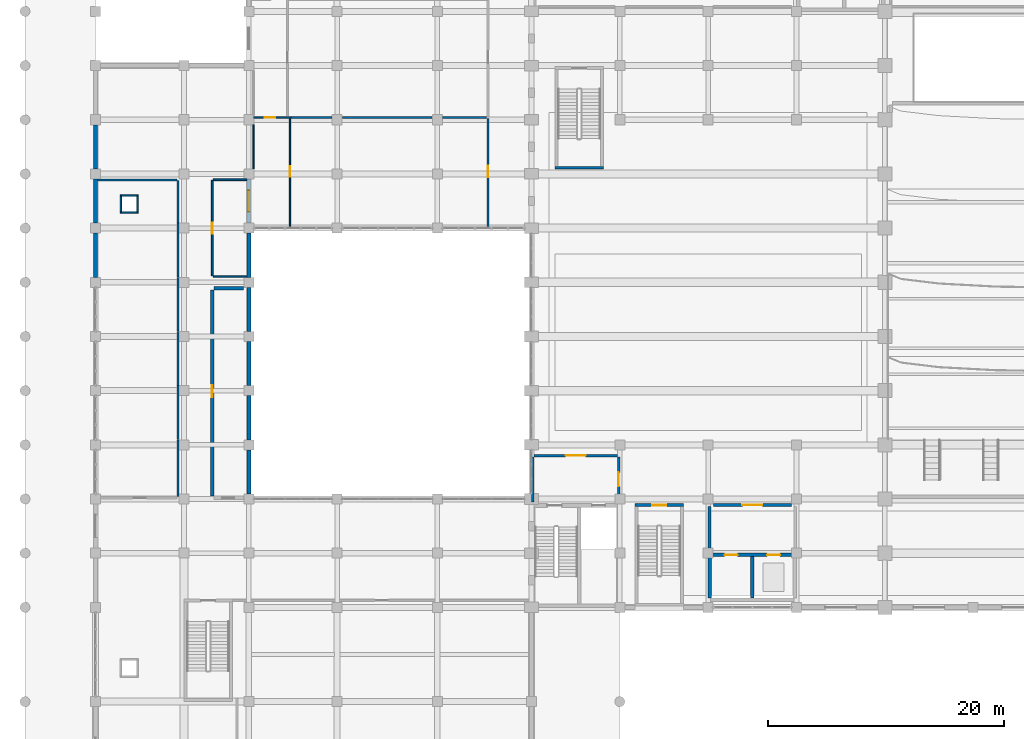
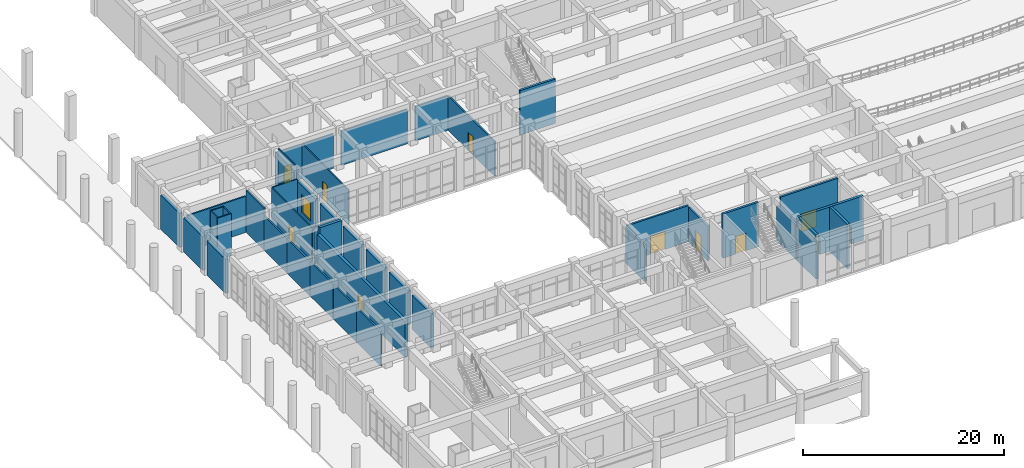
# One storey, part 63 of 84: 42 walls, 11 doors, 1 window, 12 openings.
"""IFC4 building model written with IfcOpenShell, lengths in metres."""

from ifc_helpers import new_model, si_unit, direction, frame, frame_2d, origin, place, context, subcontext, project, spatial, rectangle, extrude, material, layer, layer_set, type_object, element, fill, save


model = new_model("IFC4")

# Units and contexts
model_context = context("Model", 3, precision=1e-05, world=origin(), true_north=direction((0.0, 1.0)))
body_context = subcontext(model_context, "Body", "Model", "MODEL_VIEW")
ifc_project = project(units=[si_unit("LENGTHUNIT", "METRE"), si_unit("AREAUNIT", "SQUARE_METRE"), si_unit("VOLUMEUNIT", "CUBIC_METRE"), si_unit("PLANEANGLEUNIT", "RADIAN"), si_unit("MASSUNIT", "GRAM", prefix="KILO")], contexts=[model_context])

# Site, building, storey
site_placement = place(None, origin())
site = spatial("IfcSite", under=ifc_project, at=site_placement, CompositionType="ELEMENT")
building_placement = place(site_placement, origin())
building = spatial("IfcBuilding", under=site, at=building_placement, Name="Muzn Square Opera House", CompositionType="ELEMENT")
storey_placement = place(building_placement, origin())
storey = spatial("IfcBuildingStorey", under=building, at=storey_placement, Name="L00", CompositionType="ELEMENT", Elevation=0.0)

# Wall, opening, door
ifc_material_1 = material(Name="Acoustic gypsum stud partition", Category="gypsum")
ifc_layer_1 = layer(ifc_material_1, 0.320068359375, Name="Acoustic gypsum stud partition", Category="gypsum")
ifc_layer_set_1 = layer_set([ifc_layer_1], Name="Acoustic gypsum stud partition")
wall_type_1 = type_object("IfcWallType", Name="Acoustic Studio Double Wall 320mm", PredefinedType="PARTITIONING", material=ifc_layer_set_1)
wall_1_placement = place(storey_placement, frame((15.89990234375, 31.465087890625, 0.0), z_axis=(0.0, 0.0, 1.0), x_axis=(0.0, 1.0, 0.0)))
wall_1 = element("IfcWall", 1, at=wall_1_placement, inside=storey, type_object=wall_type_1, Name="Interior Partition PW-L00-0091", PredefinedType="PARTITIONING", context=body_context, shape_type="SweptSolid", body=[
    extrude(rectangle(XDim=17.489990234375, YDim=0.320068359375, at=frame_2d((8.7451171875, 0.0))), origin(), (0.0, 0.0, 1.0), 4.39990234375),
])
opening_1_placement = place(wall_1_placement, frame((8.385009765625, 0.0, 0.0)))
opening_1 = element("IfcOpeningElement", 2, at=opening_1_placement, cuts=wall_1, Name="Opening DR-SS10", PredefinedType="OPENING", context=body_context, shape_type="SweptSolid", body=[
    extrude(rectangle(XDim=1.0, YDim=2.199951171875, at=frame_2d((0.5, 1.10009765625))), frame((0.0, 0.169921875, 0.0), z_axis=(0.0, -1.0, 0.0), x_axis=(1.0, 0.0, 0.0)), (0.0, 0.0, 1.0), 0.340087890625),
])
ifc_material_2 = material(Name="Acoustic hardwood leaf", Category="wood")
door_type_1 = type_object("IfcDoorType", Name="Soloist Suite Door 1000x2200", OperationType="NOTDEFINED", PredefinedType="DOOR", material=ifc_material_2)
door_1_placement = place(opening_1_placement, origin())
door_1 = element("IfcDoor", 3, at=door_1_placement, inside=storey, type_object=door_type_1, Name="Soloist Vocal Warm-Up Studio Door DR-L00-0041", OperationType="SINGLE_SWING_RIGHT", OverallHeight=2.199951171875, OverallWidth=1.0, PredefinedType="DOOR", context=body_context, shape_type="SweptSolid", body=[
    extrude(rectangle(XDim=1.0, YDim=2.199951171875, at=frame_2d((0.5, 1.10009765625))), frame((0.0, 0.02490234375, 0.0), z_axis=(0.0, -1.0, 0.0), x_axis=(1.0, 0.0, 0.0)), (0.0, 0.0, 1.0), 0.050048828125),
])
fill(opening_1, door_1)

# Walls
wall_2_placement = place(storey_placement, frame((16.044921875, 49.10009765625, 0.0), z_axis=(0.0, 0.0, 1.0), x_axis=(1.0, 0.0, 0.0)))
element("IfcWall", 4, at=wall_2_placement, inside=storey, type_object=wall_type_1, Name="Room Enclosure Partition PW-L00-0141", PredefinedType="PARTITIONING", context=body_context, shape_type="SweptSolid", body=[
    extrude(rectangle(XDim=2.525146484375, YDim=0.320068359375, at=frame_2d((1.2626953125, 0.0))), origin(), (0.0, 0.0, 1.0), 5.10009765625),
])
ifc_material_3 = material(Name="Concrete C45/55", Category="concrete")
ifc_layer_2 = layer(ifc_material_3, 0.25, Name="Concrete C45/55", Category="concrete")
ifc_layer_set_2 = layer_set([ifc_layer_2], Name="Concrete C45/55")
wall_type_2 = type_object("IfcWallType", Name="Aux Stair Enclosure Wall 250mm", PredefinedType="SHEAR", material=ifc_layer_set_2)
wall_3_placement = place(storey_placement, frame((45.0, 59.324951171875, 0.0), z_axis=(0.0, 0.0, 1.0), x_axis=(1.0, 0.0, 0.0)))
element("IfcWall", 5, at=wall_3_placement, inside=storey, type_object=wall_type_2, Name="Escape Stair ST-9 Wall S L00", PredefinedType="SHEAR", context=body_context, shape_type="SweptSolid", body=[
    extrude(rectangle(XDim=4.10009765625, YDim=0.25, at=frame_2d((2.050048828125, 0.0))), origin(), (0.0, 0.0, 1.0), 5.39990234375),
])

# Wall, opening, door
wall_4_placement = place(storey_placement, frame((51.800048828125, 30.675048828125, 0.0), z_axis=(0.0, 0.0, 1.0), x_axis=(1.0, 0.0, 0.0)))
wall_4 = element("IfcWall", 6, at=wall_4_placement, inside=storey, type_object=wall_type_2, Name="Escape Stair ST-11 Wall N L00", PredefinedType="SHEAR", context=body_context, shape_type="SweptSolid", body=[
    extrude(rectangle(XDim=4.099853515625, YDim=0.25, at=frame_2d((2.0498046875, 0.0))), origin(), (0.0, 0.0, 1.0), 5.39990234375),
])
opening_2_placement = place(wall_4_placement, frame((1.449951171875, 0.0, 0.0)))
opening_2 = element("IfcOpeningElement", 7, at=opening_2_placement, cuts=wall_4, Name="Opening DR-ST12", PredefinedType="OPENING", context=body_context, shape_type="SweptSolid", body=[
    extrude(rectangle(XDim=1.199951171875, YDim=2.14990234375, at=frame_2d((0.60009765625, 1.074951171875))), frame((0.0, 0.135009765625, 0.0), z_axis=(0.0, -1.0, 0.0), x_axis=(1.0, 0.0, 0.0)), (0.0, 0.0, 1.0), 0.27001953125),
])
ifc_material_4 = material(Name="Galvanised painted steel leaf", Category="metal")
door_type_2 = type_object("IfcDoorType", Name="Core Stair Fire Door 1200x2150", OperationType="NOTDEFINED", PredefinedType="DOOR", material=ifc_material_4)
door_2_placement = place(opening_2_placement, origin())
door_2 = element("IfcDoor", 8, at=door_2_placement, inside=storey, type_object=door_type_2, Name="Escape Stair ST-11 Door L00", OperationType="SINGLE_SWING_RIGHT", OverallHeight=2.14990234375, OverallWidth=1.199951171875, PredefinedType="DOOR", context=body_context, shape_type="SweptSolid", body=[
    extrude(rectangle(XDim=1.199951171875, YDim=2.14990234375, at=frame_2d((0.60009765625, 1.074951171875))), frame((0.0, 0.02490234375, 0.0), z_axis=(0.0, -1.0, 0.0), x_axis=(1.0, 0.0, 0.0)), (0.0, 0.0, 1.0), 0.050048828125),
])
fill(opening_2, door_2)

# Walls
ifc_layer_3 = layer(ifc_material_3, 0.300048828125, Name="Concrete C45/55", Category="concrete")
ifc_layer_set_3 = layer_set([ifc_layer_3], Name="Concrete C45/55")
wall_type_3 = type_object("IfcWallType", Name="Core Shear Wall 300mm", PredefinedType="SHEAR", material=ifc_layer_set_3)
for number, where, z_axis, x_axis, name in (
    (9, (58.14990234375, 22.800048828125, 0.0), (0.0, 0.0, 1.0), (0.0, 1.0, 0.0), "Lift Bank LBW Shear Wall SW-LBW-L00-W"),
    (10, (61.75, 22.800048828125, 0.0), (0.0, 0.0, 1.0), (0.0, 1.0, 0.0), "Lift Bank LBW Shear Wall SW-LBW-L00-DIV"),
):
    element("IfcWall", number, at=place(storey_placement, frame(where, z_axis=z_axis, x_axis=x_axis)), inside=storey, type_object=wall_type_3, Name=name, PredefinedType="SHEAR", context=body_context, shape_type="SweptSolid", body=[
        extrude(rectangle(XDim=3.5, YDim=0.300048828125, at=frame_2d((1.75, 0.0))), origin(), (0.0, 0.0, 1.0), 5.39990234375),
    ])

# Wall, openings, doors
wall_5_placement = place(storey_placement, frame((58.0, 26.449951171875, 0.0), z_axis=(0.0, 0.0, 1.0), x_axis=(1.0, 0.0, 0.0)))
wall_5 = element("IfcWall", 11, at=wall_5_placement, inside=storey, type_object=wall_type_3, Name="Lift Bank LBW Front Wall L00", PredefinedType="SHEAR", context=body_context, shape_type="SweptSolid", body=[
    extrude(rectangle(XDim=7.5, YDim=0.300048828125, at=frame_2d((3.75, 0.0))), origin(), (0.0, 0.0, 1.0), 5.39990234375),
])
opening_3_placement = place(wall_5_placement, frame((1.39990234375, 0.0, 0.0)))
opening_3 = element("IfcOpeningElement", 12, at=opening_3_placement, cuts=wall_5, Name="Opening LD-01", PredefinedType="OPENING", context=body_context, shape_type="SweptSolid", body=[
    extrude(rectangle(XDim=1.10009765625, YDim=2.14990234375, at=frame_2d((0.550048828125, 1.074951171875))), frame((0.0, 0.159912109375, 0.0), z_axis=(0.0, -1.0, 0.0), x_axis=(1.0, 0.0, 0.0)), (0.0, 0.0, 1.0), 0.320068359375),
])
opening_4_placement = place(wall_5_placement, frame((5.0, 0.0, 0.0)))
opening_4 = element("IfcOpeningElement", 13, at=opening_4_placement, cuts=wall_5, Name="Opening LD-01", PredefinedType="OPENING", context=body_context, shape_type="SweptSolid", body=[
    extrude(rectangle(XDim=1.10009765625, YDim=2.14990234375, at=frame_2d((0.550048828125, 1.074951171875))), frame((0.0, 0.159912109375, 0.0), z_axis=(0.0, -1.0, 0.0), x_axis=(1.0, 0.0, 0.0)), (0.0, 0.0, 1.0), 0.320068359375),
])
ifc_material_5 = material(Name="Brushed stainless steel", Category="metal")
door_type_3 = type_object("IfcDoorType", Name="Lift Landing Sliding Door 1100x2150", OperationType="SLIDING_TO_LEFT", PredefinedType="DOOR", material=ifc_material_5)
door_3_placement = place(opening_3_placement, origin())
door_3 = element("IfcDoor", 14, at=door_3_placement, inside=storey, type_object=door_type_3, Name="Lift PL-2 Sliding Landing Door L00", OperationType="SLIDING_TO_LEFT", OverallHeight=2.14990234375, OverallWidth=1.10009765625, PredefinedType="DOOR", context=body_context, shape_type="SweptSolid", body=[
    extrude(rectangle(XDim=1.10009765625, YDim=2.14990234375, at=frame_2d((0.550048828125, 1.074951171875))), frame((0.0, 0.02490234375, 0.0), z_axis=(0.0, -1.0, 0.0), x_axis=(1.0, 0.0, 0.0)), (0.0, 0.0, 1.0), 0.050048828125),
])
fill(opening_3, door_3)
door_4_placement = place(opening_4_placement, origin())
door_4 = element("IfcDoor", 15, at=door_4_placement, inside=storey, type_object=door_type_3, Name="Lift PL-6 Sliding Landing Door L00", OperationType="SLIDING_TO_LEFT", OverallHeight=2.14990234375, OverallWidth=1.10009765625, PredefinedType="DOOR", context=body_context, shape_type="SweptSolid", body=[
    extrude(rectangle(XDim=1.10009765625, YDim=2.14990234375, at=frame_2d((0.550048828125, 1.074951171875))), frame((0.0, 0.02490234375, 0.0), z_axis=(0.0, -1.0, 0.0), x_axis=(1.0, 0.0, 0.0)), (0.0, 0.0, 1.0), 0.050048828125),
])
fill(opening_4, door_4)

# Walls
ifc_layer_4 = layer(ifc_material_1, 0.179931640625, Name="Acoustic gypsum stud partition", Category="gypsum")
ifc_layer_set_4 = layer_set([ifc_layer_4], Name="Acoustic gypsum stud partition")
wall_type_4 = type_object("IfcWallType", Name="Dressing Suite Partition 180mm", PredefinedType="PARTITIONING", material=ifc_layer_set_4)
wall_6_placement = place(storey_placement, frame((26.945068359375, 63.60009765625, 0.0), z_axis=(0.0, 0.0, 1.0), x_axis=(1.0, 0.0, 0.0)))
element("IfcWall", 16, at=wall_6_placement, inside=storey, type_object=wall_type_4, Name="Interior Partition PW-L00-0084", PredefinedType="PARTITIONING", context=body_context, shape_type="SweptSolid", body=[
    extrude(rectangle(XDim=7.60986328125, YDim=0.179931640625, at=frame_2d((3.804931640625, 0.0))), origin(), (0.0, 0.0, 1.0), 4.199951171875),
])
wall_7_placement = place(storey_placement, frame((35.445068359375, 63.60009765625, 0.0), z_axis=(0.0, 0.0, 1.0), x_axis=(1.0, 0.0, 0.0)))
element("IfcWall", 17, at=wall_7_placement, inside=storey, type_object=wall_type_4, Name="Interior Partition PW-L00-0085", PredefinedType="PARTITIONING", context=body_context, shape_type="SweptSolid", body=[
    extrude(rectangle(XDim=3.7548828125, YDim=0.179931640625, at=frame_2d((1.87744140625, 0.0))), origin(), (0.0, 0.0, 1.0), 4.199951171875),
])

# Wall, opening, door
wall_8_placement = place(storey_placement, frame((39.300048828125, 54.284912109375, 0.0), z_axis=(0.0, 0.0, 1.0), x_axis=(0.0, 1.0, 0.0)))
wall_8 = element("IfcWall", 18, at=wall_8_placement, inside=storey, type_object=wall_type_4, Name="Interior Partition PW-L00-0087", PredefinedType="PARTITIONING", context=body_context, shape_type="SweptSolid", body=[
    extrude(rectangle(XDim=9.239990234375, YDim=0.179931640625, at=frame_2d((4.6201171875, 0.0))), origin(), (0.0, 0.0, 1.0), 4.199951171875),
])
opening_5_placement = place(wall_8_placement, frame((4.215087890625, 0.0, 0.0)))
opening_5 = element("IfcOpeningElement", 19, at=opening_5_placement, cuts=wall_8, Name="Opening DR-SS10", PredefinedType="OPENING", context=body_context, shape_type="SweptSolid", body=[
    extrude(rectangle(XDim=1.0, YDim=2.199951171875, at=frame_2d((0.5, 1.10009765625))), frame((0.0, 0.099853515625, 0.0), z_axis=(0.0, -1.0, 0.0), x_axis=(1.0, 0.0, 0.0)), (0.0, 0.0, 1.0), 0.199951171875),
])
door_5_placement = place(opening_5_placement, origin())
door_5 = element("IfcDoor", 20, at=door_5_placement, inside=storey, type_object=door_type_1, Name="Principal Soloist Dressing Suite 1 Door DR-L00-0037", OperationType="SINGLE_SWING_RIGHT", OverallHeight=2.199951171875, OverallWidth=1.0, PredefinedType="DOOR", context=body_context, shape_type="SweptSolid", body=[
    extrude(rectangle(XDim=1.0, YDim=2.199951171875, at=frame_2d((0.5, 1.10009765625))), frame((0.0, 0.02490234375, 0.0), z_axis=(0.0, -1.0, 0.0), x_axis=(1.0, 0.0, 0.0)), (0.0, 0.0, 1.0), 0.050048828125),
])
fill(opening_5, door_5)

# Walls
wall_9_placement = place(storey_placement, frame((6.175048828125, 58.300048828125, 0.0), z_axis=(0.0, 0.0, 1.0), x_axis=(1.0, 0.0, 0.0)))
element("IfcWall", 21, at=wall_9_placement, inside=storey, type_object=wall_type_4, Name="Room Enclosure Partition PW-L00-0134", PredefinedType="PARTITIONING", context=body_context, shape_type="SweptSolid", body=[
    extrude(rectangle(XDim=6.75, YDim=0.179931640625, at=frame_2d((3.375, 0.0))), origin(), (0.0, 0.0, 1.0), 4.39990234375),
])
wall_10_placement = place(storey_placement, frame((13.0, 31.39501953125, 0.0), z_axis=(0.0, 0.0, 1.0), x_axis=(0.0, 1.0, 0.0)))
element("IfcWall", 22, at=wall_10_placement, inside=storey, type_object=wall_type_4, Name="Room Enclosure Partition PW-L00-0135", PredefinedType="PARTITIONING", context=body_context, shape_type="SweptSolid", body=[
    extrude(rectangle(XDim=4.830078125, YDim=0.179931640625, at=frame_2d((2.4150390625, 0.0))), origin(), (0.0, 0.0, 1.0), 4.199951171875),
])
wall_11_placement = place(storey_placement, frame((13.0, 36.2451171875, 0.0), z_axis=(0.0, 0.0, 1.0), x_axis=(0.0, 1.0, 0.0)))
element("IfcWall", 23, at=wall_11_placement, inside=storey, type_object=wall_type_4, Name="Room Enclosure Partition PW-L00-0136", PredefinedType="PARTITIONING", context=body_context, shape_type="SweptSolid", body=[
    extrude(rectangle(XDim=4.579833984375, YDim=0.179931640625, at=frame_2d((2.2900390625, 0.0))), origin(), (0.0, 0.0, 1.0), 4.199951171875),
])
wall_12_placement = place(storey_placement, frame((13.0, 40.844970703125, 0.0), z_axis=(0.0, 0.0, 1.0), x_axis=(0.0, 1.0, 0.0)))
element("IfcWall", 24, at=wall_12_placement, inside=storey, type_object=wall_type_4, Name="Room Enclosure Partition PW-L00-0137", PredefinedType="PARTITIONING", context=body_context, shape_type="SweptSolid", body=[
    extrude(rectangle(XDim=4.580078125, YDim=0.179931640625, at=frame_2d((2.2900390625, 0.0))), origin(), (0.0, 0.0, 1.0), 4.199951171875),
])
wall_13_placement = place(storey_placement, frame((13.0, 45.445068359375, 0.0), z_axis=(0.0, 0.0, 1.0), x_axis=(0.0, 1.0, 0.0)))
element("IfcWall", 25, at=wall_13_placement, inside=storey, type_object=wall_type_4, Name="Room Enclosure Partition PW-L00-0138", PredefinedType="PARTITIONING", context=body_context, shape_type="SweptSolid", body=[
    extrude(rectangle(XDim=4.579833984375, YDim=0.179931640625, at=frame_2d((2.2900390625, 0.0))), origin(), (0.0, 0.0, 1.0), 4.199951171875),
])
wall_14_placement = place(storey_placement, frame((13.0, 50.044921875, 0.0), z_axis=(0.0, 0.0, 1.0), x_axis=(0.0, 1.0, 0.0)))
element("IfcWall", 26, at=wall_14_placement, inside=storey, type_object=wall_type_4, Name="Room Enclosure Partition PW-L00-0139", PredefinedType="PARTITIONING", context=body_context, shape_type="SweptSolid", body=[
    extrude(rectangle(XDim=4.580078125, YDim=0.179931640625, at=frame_2d((2.2900390625, 0.0))), origin(), (0.0, 0.0, 1.0), 4.199951171875),
])
wall_15_placement = place(storey_placement, frame((13.0, 54.64501953125, 0.0), z_axis=(0.0, 0.0, 1.0), x_axis=(0.0, 1.0, 0.0)))
element("IfcWall", 27, at=wall_15_placement, inside=storey, type_object=wall_type_4, Name="Room Enclosure Partition PW-L00-0140", PredefinedType="PARTITIONING", context=body_context, shape_type="SweptSolid", body=[
    extrude(rectangle(XDim=3.580078125, YDim=0.179931640625, at=frame_2d((1.7900390625, 0.0))), origin(), (0.0, 0.0, 1.0), 5.10009765625),
])
wall_16_placement = place(storey_placement, frame((22.614990234375, 63.60009765625, 0.0), z_axis=(0.0, 0.0, 1.0), x_axis=(1.0, 0.0, 0.0)))
element("IfcWall", 28, at=wall_16_placement, inside=storey, type_object=wall_type_4, Name="Interior Partition PW-L00-0086", PredefinedType="PARTITIONING", context=body_context, shape_type="SweptSolid", body=[
    extrude(rectangle(XDim=3.43994140625, YDim=0.179931640625, at=frame_2d((1.719970703125, 0.0))), origin(), (0.0, 0.0, 1.0), 4.199951171875),
])

# Wall, opening, door
ifc_layer_5 = layer(ifc_material_1, 0.1201171875, Name="Acoustic gypsum stud partition", Category="gypsum")
ifc_layer_set_5 = layer_set([ifc_layer_5], Name="Acoustic gypsum stud partition")
wall_type_5 = type_object("IfcWallType", Name="En-Suite Partition 120mm", PredefinedType="PARTITIONING", material=ifc_layer_set_5)
wall_17_placement = place(storey_placement, frame((22.5, 54.284912109375, 0.0), z_axis=(0.0, 0.0, 1.0), x_axis=(0.0, 1.0, 0.0)))
wall_17 = element("IfcWall", 29, at=wall_17_placement, inside=storey, type_object=wall_type_5, Name="Interior Partition PW-L00-0082", PredefinedType="PARTITIONING", context=body_context, shape_type="SweptSolid", body=[
    extrude(rectangle(XDim=9.239990234375, YDim=0.1201171875, at=frame_2d((4.6201171875, 0.0))), origin(), (0.0, 0.0, 1.0), 4.199951171875),
])
opening_6_placement = place(wall_17_placement, frame((4.264892578125, 0.0, 0.0)))
opening_6 = element("IfcOpeningElement", 30, at=opening_6_placement, cuts=wall_17, Name="Opening DR-EN90", PredefinedType="OPENING", context=body_context, shape_type="SweptSolid", body=[
    extrude(rectangle(XDim=0.89990234375, YDim=2.14990234375, at=frame_2d((0.449951171875, 1.074951171875))), frame((0.0, 0.070068359375, 0.0), z_axis=(0.0, -1.0, 0.0), x_axis=(1.0, 0.0, 0.0)), (0.0, 0.0, 1.0), 0.14013671875),
])
door_type_4 = type_object("IfcDoorType", Name="En-Suite Bathroom Door 900x2150", OperationType="NOTDEFINED", PredefinedType="DOOR", material=ifc_material_2)
door_6_placement = place(opening_6_placement, origin())
door_6 = element("IfcDoor", 31, at=door_6_placement, inside=storey, type_object=door_type_4, Name="Soloist En-Suite Bathroom 1 Door DR-L00-0035", OperationType="SINGLE_SWING_RIGHT", OverallHeight=2.14990234375, OverallWidth=0.89990234375, PredefinedType="DOOR", context=body_context, shape_type="SweptSolid", body=[
    extrude(rectangle(XDim=0.89990234375, YDim=2.14990234375, at=frame_2d((0.449951171875, 1.074951171875))), frame((0.0, 0.02490234375, 0.0), z_axis=(0.0, -1.0, 0.0), x_axis=(1.0, 0.0, 0.0)), (0.0, 0.0, 1.0), 0.050048828125),
])
fill(opening_6, door_6)

wall_18_placement = place(storey_placement, frame((19.39990234375, 63.60009765625, 0.0), z_axis=(0.0, 0.0, 1.0), x_axis=(1.0, 0.0, 0.0)))
wall_18 = element("IfcWall", 32, at=wall_18_placement, inside=storey, type_object=wall_type_5, Name="Interior Partition PW-L00-0083", PredefinedType="PARTITIONING", context=body_context, shape_type="SweptSolid", body=[
    extrude(rectangle(XDim=3.195068359375, YDim=0.1201171875, at=frame_2d((1.59765625, 0.0))), origin(), (0.0, 0.0, 1.0), 4.199951171875),
])
opening_7_placement = place(wall_18_placement, frame((0.949951171875, 0.0, 0.0)))
opening_7 = element("IfcOpeningElement", 33, at=opening_7_placement, cuts=wall_18, Name="Opening DR-EN90", PredefinedType="OPENING", context=body_context, shape_type="SweptSolid", body=[
    extrude(rectangle(XDim=0.89990234375, YDim=2.14990234375, at=frame_2d((0.449951171875, 1.074951171875))), frame((0.0, 0.070068359375, 0.0), z_axis=(0.0, -1.0, 0.0), x_axis=(1.0, 0.0, 0.0)), (0.0, 0.0, 1.0), 0.14013671875),
])
door_7_placement = place(opening_7_placement, origin())
door_7 = element("IfcDoor", 34, at=door_7_placement, inside=storey, type_object=door_type_4, Name="Soloist En-Suite Bathroom 1 Door DR-L00-0036", OperationType="SINGLE_SWING_LEFT", OverallHeight=2.14990234375, OverallWidth=0.89990234375, PredefinedType="DOOR", context=body_context, shape_type="SweptSolid", body=[
    extrude(rectangle(XDim=0.89990234375, YDim=2.14990234375, at=frame_2d((0.449951171875, 1.074951171875))), frame((0.0, 0.02490234375, 0.0), z_axis=(0.0, -1.0, 0.0), x_axis=(1.0, 0.0, 0.0)), (0.0, 0.0, 1.0), 0.050048828125),
])
fill(opening_7, door_7)

# Wall
wall_19_placement = place(storey_placement, frame((19.39990234375, 59.2451171875, 0.0), z_axis=(0.0, 0.0, 1.0), x_axis=(0.0, 1.0, 0.0)))
element("IfcWall", 35, at=wall_19_placement, inside=storey, type_object=wall_type_5, Name="Room Enclosure Partition PW-L00-0130", PredefinedType="PARTITIONING", context=body_context, shape_type="SweptSolid", body=[
    extrude(rectangle(XDim=3.7099609375, YDim=0.1201171875, at=frame_2d((1.85498046875, 0.0))), origin(), (0.0, 0.0, 1.0), 5.10009765625),
])

# Wall, opening, window
ifc_material_6 = material(Name="Concrete C40/50", Category="concrete")
ifc_layer_6 = layer(ifc_material_6, 0.31005859375, Name="Concrete C40/50", Category="concrete")
ifc_layer_set_6 = layer_set([ifc_layer_6], Name="Concrete C40/50")
wall_type_6 = type_object("IfcWallType", Name="Exterior Gallery Facade Wall 310mm", PredefinedType="SOLIDWALL", material=ifc_layer_set_6)
wall_20_placement = place(storey_placement, frame((19.0, 54.625, 0.0), z_axis=(0.0, 0.0, 1.0), x_axis=(0.0, 1.0, 0.0)))
wall_20 = element("IfcWall", 36, at=wall_20_placement, inside=storey, type_object=wall_type_6, Name="Exterior Facade Wall EW-L00-077", PredefinedType="SOLIDWALL", context=body_context, shape_type="SweptSolid", body=[
    extrude(rectangle(XDim=3.75, YDim=0.31005859375, at=frame_2d((1.875, 0.0))), origin(), (0.0, 0.0, 1.0), 4.14990234375),
])
opening_8_placement = place(wall_20_placement, frame((0.97509765625, 0.0, 0.85009765625)))
opening_8 = element("IfcOpeningElement", 37, at=opening_8_placement, cuts=wall_20, Name="Opening WN-A1822", PredefinedType="OPENING", context=body_context, shape_type="SweptSolid", body=[
    extrude(rectangle(XDim=1.800048828125, YDim=2.199951171875, at=frame_2d((0.89990234375, 1.10009765625))), frame((0.0, 0.1650390625, 0.0), z_axis=(0.0, -1.0, 0.0), x_axis=(1.0, 0.0, 0.0)), (0.0, 0.0, 1.0), 0.330078125),
])
ifc_material_7 = material(Name="Low-E laminated acoustic double glazing", Category="glass")
window_type = type_object("IfcWindowType", Name="Soloist Suite Window 1800x2200", PartitioningType="DOUBLE_PANEL_VERTICAL", PredefinedType="WINDOW", material=ifc_material_7)
window_placement = place(opening_8_placement, origin())
window = element("IfcWindow", 38, at=window_placement, inside=storey, type_object=window_type, Name="Soloist Suite Window 1800x2200 EW-L00-077-WN01", OverallHeight=2.199951171875, OverallWidth=1.800048828125, PartitioningType="SINGLE_PANEL", PredefinedType="WINDOW", context=body_context, shape_type="SweptSolid", body=[
    extrude(rectangle(XDim=1.800048828125, YDim=2.199951171875, at=frame_2d((0.89990234375, 1.10009765625))), frame((0.0, 0.030029296875, 0.0), z_axis=(0.0, -1.0, 0.0), x_axis=(1.0, 0.0, 0.0)), (0.0, 0.0, 1.0), 0.06005859375),
])
fill(opening_8, window)

# Walls
ifc_layer_7 = layer(ifc_material_6, 0.340087890625, Name="Concrete C40/50", Category="concrete")
ifc_layer_set_7 = layer_set([ifc_layer_7], Name="Concrete C40/50")
wall_type_7 = type_object("IfcWallType", Name="Exterior Insulated Spandrel Wall 340mm", PredefinedType="SOLIDWALL", material=ifc_layer_set_7)
for number, where, z_axis, x_axis, name in (
    (39, (6.0, 50.02490234375, 0.0), (0.0, 0.0, 1.0), (0.0, 1.0, 0.0), "Exterior Facade Wall EW-L00-107"),
    (40, (6.0, 54.625, 0.0), (0.0, 0.0, 1.0), (0.0, 1.0, 0.0), "Exterior Facade Wall EW-L00-108"),
    (41, (6.0, 59.22509765625, 0.0), (0.0, 0.0, 1.0), (0.0, 1.0, 0.0), "Exterior Facade Wall EW-L00-109"),
    (42, (19.0, 31.625, 0.0), (0.0, 0.0, 1.0), (0.0, 1.0, 0.0), "Exterior Facade Wall EW-L00-141"),
    (43, (19.0, 36.22509765625, 0.0), (0.0, 0.0, 1.0), (0.0, 1.0, 0.0), "Exterior Facade Wall EW-L00-142"),
    (44, (19.0, 40.824951171875, 0.0), (0.0, 0.0, 1.0), (0.0, 1.0, 0.0), "Exterior Facade Wall EW-L00-143"),
    (45, (19.0, 45.425048828125, 0.0), (0.0, 0.0, 1.0), (0.0, 1.0, 0.0), "Exterior Facade Wall EW-L00-144"),
    (46, (19.0, 50.02490234375, 0.0), (0.0, 0.0, 1.0), (0.0, 1.0, 0.0), "Exterior Facade Wall EW-L00-145"),
):
    element("IfcWall", number, at=place(storey_placement, frame(where, z_axis=z_axis, x_axis=x_axis)), inside=storey, type_object=wall_type_7, Name=name, PredefinedType="SOLIDWALL", context=body_context, shape_type="SweptSolid", body=[
        extrude(rectangle(XDim=3.75, YDim=0.340087890625, at=frame_2d((1.875, 0.0))), origin(), (0.0, 0.0, 1.0), 4.14990234375),
    ])

# Wall, opening, door
ifc_layer_8 = layer(ifc_material_6, 0.219970703125, Name="Concrete C40/50", Category="concrete")
ifc_layer_set_8 = layer_set([ifc_layer_8], Name="Concrete C40/50")
wall_type_8 = type_object("IfcWallType", Name="Lift Lobby Wall 220mm", PredefinedType="SOLIDWALL", material=ifc_layer_set_8)
wall_21_placement = place(storey_placement, frame((43.219970703125, 34.889892578125, 0.0), z_axis=(0.0, 0.0, 1.0), x_axis=(1.0, 0.0, 0.0)))
wall_21 = element("IfcWall", 47, at=wall_21_placement, inside=storey, type_object=wall_type_8, Name="Lobby C3 Enclosure Wall L00", PredefinedType="SOLIDWALL", context=body_context, shape_type="SweptSolid", body=[
    extrude(rectangle(XDim=7.06005859375, YDim=0.219970703125, at=frame_2d((3.530029296875, 0.0))), origin(), (0.0, 0.0, 1.0), 4.39990234375),
])
opening_9_placement = place(wall_21_placement, frame((2.679931640625, 0.0, 0.0)))
opening_9 = element("IfcOpeningElement", 48, at=opening_9_placement, cuts=wall_21, Name="Opening DR-LL17", PredefinedType="OPENING", context=body_context, shape_type="SweptSolid", body=[
    extrude(rectangle(XDim=1.699951171875, YDim=2.179931640625, at=frame_2d((0.85009765625, 1.08984375))), frame((0.0, 0.119873046875, 0.0), z_axis=(0.0, -1.0, 0.0), x_axis=(1.0, 0.0, 0.0)), (0.0, 0.0, 1.0), 0.239990234375),
])
door_type_5 = type_object("IfcDoorType", Name="Lift Lobby Double Door 1700x2180", OperationType="DOUBLE_DOOR_SINGLE_SWING", PredefinedType="DOOR", material=ifc_material_2)
door_8_placement = place(opening_9_placement, origin())
door_8 = element("IfcDoor", 49, at=door_8_placement, inside=storey, type_object=door_type_5, Name="Lobby C3 Fire Door L00", OperationType="DOUBLE_DOOR_SINGLE_SWING", OverallHeight=2.179931640625, OverallWidth=1.699951171875, PredefinedType="DOOR", context=body_context, shape_type="SweptSolid", body=[
    extrude(rectangle(XDim=1.699951171875, YDim=2.179931640625, at=frame_2d((0.85009765625, 1.08984375))), frame((0.0, 0.02490234375, 0.0), z_axis=(0.0, -1.0, 0.0), x_axis=(1.0, 0.0, 0.0)), (0.0, 0.0, 1.0), 0.050048828125),
])
fill(opening_9, door_8)

# Wall
wall_22_placement = place(storey_placement, frame((43.110107421875, 30.949951171875, 0.0), z_axis=(0.0, 0.0, 1.0), x_axis=(0.0, 1.0, 0.0)))
element("IfcWall", 50, at=wall_22_placement, inside=storey, type_object=wall_type_8, Name="Lobby C3 Side Wall W L00", PredefinedType="SOLIDWALL", context=body_context, shape_type="SweptSolid", body=[
    extrude(rectangle(XDim=3.830078125, YDim=0.219970703125, at=frame_2d((1.9150390625, 0.0))), origin(), (0.0, 0.0, 1.0), 4.39990234375),
])

# Wall, opening, door
wall_23_placement = place(storey_placement, frame((50.389892578125, 30.949951171875, 0.0), z_axis=(0.0, 0.0, 1.0), x_axis=(0.0, 1.0, 0.0)))
wall_23 = element("IfcWall", 51, at=wall_23_placement, inside=storey, type_object=wall_type_8, Name="Lobby C3 Side Wall E L00", PredefinedType="SOLIDWALL", context=body_context, shape_type="SweptSolid", body=[
    extrude(rectangle(XDim=3.830078125, YDim=0.219970703125, at=frame_2d((1.9150390625, 0.0))), origin(), (0.0, 0.0, 1.0), 4.199951171875),
])
opening_10_placement = place(wall_23_placement, frame((2.514892578125, 0.0, 0.0), z_axis=(0.0, 0.0, 1.0), x_axis=(-1.0, 0.0, 0.0)))
opening_10 = element("IfcOpeningElement", 52, at=opening_10_placement, cuts=wall_23, Name="Opening DR-ST12", PredefinedType="OPENING", context=body_context, shape_type="SweptSolid", body=[
    extrude(rectangle(XDim=1.199951171875, YDim=2.14990234375, at=frame_2d((0.60009765625, 1.074951171875))), frame((0.0, 0.119873046875, 0.0), z_axis=(0.0, -1.0, 0.0), x_axis=(1.0, 0.0, 0.0)), (0.0, 0.0, 1.0), 0.239990234375),
])
door_9_placement = place(opening_10_placement, origin())
door_9 = element("IfcDoor", 53, at=door_9_placement, inside=storey, type_object=door_type_2, Name="Lobby C3 Side Door E L00", OperationType="SINGLE_SWING_RIGHT", OverallHeight=2.14990234375, OverallWidth=1.199951171875, PredefinedType="DOOR", context=body_context, shape_type="SweptSolid", body=[
    extrude(rectangle(XDim=1.199951171875, YDim=2.14990234375, at=frame_2d((0.60009765625, 1.074951171875))), frame((0.0, 0.02490234375, 0.0), z_axis=(0.0, -1.0, 0.0), x_axis=(1.0, 0.0, 0.0)), (0.0, 0.0, 1.0), 0.050048828125),
])
fill(opening_10, door_9)

wall_24_placement = place(storey_placement, frame((58.43994140625, 30.68994140625, 0.0), z_axis=(0.0, 0.0, 1.0), x_axis=(1.0, 0.0, 0.0)))
wall_24 = element("IfcWall", 54, at=wall_24_placement, inside=storey, type_object=wall_type_8, Name="Lift Lobby LBW Wall L00", PredefinedType="SOLIDWALL", context=body_context, shape_type="SweptSolid", body=[
    extrude(rectangle(XDim=6.6201171875, YDim=0.219970703125, at=frame_2d((3.31005859375, 0.0))), origin(), (0.0, 0.0, 1.0), 5.10009765625),
])
opening_11_placement = place(wall_24_placement, frame((2.4599609375, 0.0, 0.0)))
opening_11 = element("IfcOpeningElement", 55, at=opening_11_placement, cuts=wall_24, Name="Opening DR-LL17", PredefinedType="OPENING", context=body_context, shape_type="SweptSolid", body=[
    extrude(rectangle(XDim=1.699951171875, YDim=2.179931640625, at=frame_2d((0.85009765625, 1.08984375))), frame((0.0, 0.119873046875, 0.0), z_axis=(0.0, -1.0, 0.0), x_axis=(1.0, 0.0, 0.0)), (0.0, 0.0, 1.0), 0.239990234375),
])
door_10_placement = place(opening_11_placement, origin())
door_10 = element("IfcDoor", 56, at=door_10_placement, inside=storey, type_object=door_type_5, Name="Lift Lobby LBW Door L00", OperationType="DOUBLE_DOOR_SINGLE_SWING", OverallHeight=2.179931640625, OverallWidth=1.699951171875, PredefinedType="DOOR", context=body_context, shape_type="SweptSolid", body=[
    extrude(rectangle(XDim=1.699951171875, YDim=2.179931640625, at=frame_2d((0.85009765625, 1.08984375))), frame((0.0, 0.02490234375, 0.0), z_axis=(0.0, -1.0, 0.0), x_axis=(1.0, 0.0, 0.0)), (0.0, 0.0, 1.0), 0.050048828125),
])
fill(opening_11, door_10)

# Walls
wall_25_placement = place(storey_placement, frame((58.110107421875, 26.75, 0.0), z_axis=(0.0, 0.0, 1.0), x_axis=(0.0, 1.0, 0.0)))
element("IfcWall", 57, at=wall_25_placement, inside=storey, type_object=wall_type_8, Name="Lift Lobby LBW Side Wall W L00", PredefinedType="SOLIDWALL", context=body_context, shape_type="SweptSolid", body=[
    extrude(rectangle(XDim=3.830078125, YDim=0.219970703125, at=frame_2d((1.9150390625, 0.0))), origin(), (0.0, 0.0, 1.0), 4.199951171875),
])
ifc_layer_9 = layer(ifc_material_1, 0.1298828125, Name="Acoustic gypsum stud partition", Category="gypsum")
ifc_layer_set_9 = layer_set([ifc_layer_9], Name="Acoustic gypsum stud partition")
wall_type_9 = type_object("IfcWallType", Name="Service Closet Partition 130mm", PredefinedType="PARTITIONING", material=ifc_layer_set_9)
for number, where, z_axis, x_axis, name in (
    (58, (8.070068359375, 55.534912109375, 0.0), (0.0, 0.0, 1.0), (1.0, 0.0, 0.0), "MEP Riser Shaft Wall RSR-WO L00-S"),
    (59, (8.070068359375, 56.965087890625, 0.0), (0.0, 0.0, 1.0), (1.0, 0.0, 0.0), "MEP Riser Shaft Wall RSR-WO L00-N"),
):
    element("IfcWall", number, at=place(storey_placement, frame(where, z_axis=z_axis, x_axis=x_axis)), inside=storey, type_object=wall_type_9, Name=name, PredefinedType="PARTITIONING", context=body_context, shape_type="SweptSolid", body=[
        extrude(rectangle(XDim=1.559814453125, YDim=0.1298828125, at=frame_2d((0.77978515625, 0.0))), origin(), (0.0, 0.0, 1.0), 5.10009765625),
    ])
for number, where, z_axis, x_axis, name in (
    (60, (8.135009765625, 55.60009765625, 0.0), (0.0, 0.0, 1.0), (0.0, 1.0, 0.0), "MEP Riser Shaft Wall RSR-WO L00-W"),
    (61, (9.56494140625, 55.60009765625, 0.0), (0.0, 0.0, 1.0), (0.0, 1.0, 0.0), "MEP Riser Shaft Wall RSR-WO L00-E"),
):
    element("IfcWall", number, at=place(storey_placement, frame(where, z_axis=z_axis, x_axis=x_axis)), inside=storey, type_object=wall_type_9, Name=name, PredefinedType="PARTITIONING", context=body_context, shape_type="SweptSolid", body=[
        extrude(rectangle(XDim=1.2998046875, YDim=0.1298828125, at=frame_2d((0.64990234375, 0.0))), origin(), (0.0, 0.0, 1.0), 5.10009765625),
    ])

# Wall, opening, door
ifc_layer_10 = layer(ifc_material_1, 0.139892578125, Name="Acoustic gypsum stud partition", Category="gypsum")
ifc_layer_set_10 = layer_set([ifc_layer_10], Name="Acoustic gypsum stud partition")
wall_type_10 = type_object("IfcWallType", Name="Wet Room Tile Partition 140mm", PredefinedType="PARTITIONING", material=ifc_layer_set_10)
wall_26_placement = place(storey_placement, frame((15.89990234375, 50.155029296875, 0.0), z_axis=(0.0, 0.0, 1.0), x_axis=(0.0, 1.0, 0.0)))
wall_26 = element("IfcWall", 62, at=wall_26_placement, inside=storey, type_object=wall_type_10, Name="Interior Partition PW-L00-0093", PredefinedType="PARTITIONING", context=body_context, shape_type="SweptSolid", body=[
    extrude(rectangle(XDim=8.090087890625, YDim=0.139892578125, at=frame_2d((4.044921875, 0.0))), origin(), (0.0, 0.0, 1.0), 4.39990234375),
])
opening_12_placement = place(wall_26_placement, frame((3.570068359375, 0.0, 0.0)))
opening_12 = element("IfcOpeningElement", 63, at=opening_12_placement, cuts=wall_26, Name="Opening DR-AW95", PredefinedType="OPENING", context=body_context, shape_type="SweptSolid", body=[
    extrude(rectangle(XDim=0.949951171875, YDim=2.10009765625, at=frame_2d((0.47509765625, 1.050048828125))), frame((0.0, 0.079833984375, 0.0), z_axis=(0.0, -1.0, 0.0), x_axis=(1.0, 0.0, 0.0)), (0.0, 0.0, 1.0), 0.159912109375),
])
door_type_6 = type_object("IfcDoorType", Name="Accessible WC Door 950x2100", OperationType="NOTDEFINED", PredefinedType="DOOR", material=ifc_material_2)
door_11_placement = place(opening_12_placement, origin())
door_11 = element("IfcDoor", 64, at=door_11_placement, inside=storey, type_object=door_type_6, Name="West Artist Accessible WC Door DR-L00-0043", OperationType="SINGLE_SWING_RIGHT", OverallHeight=2.10009765625, OverallWidth=0.949951171875, PredefinedType="DOOR", context=body_context, shape_type="SweptSolid", body=[
    extrude(rectangle(XDim=0.949951171875, YDim=2.10009765625, at=frame_2d((0.47509765625, 1.050048828125))), frame((0.0, 0.02490234375, 0.0), z_axis=(0.0, -1.0, 0.0), x_axis=(1.0, 0.0, 0.0)), (0.0, 0.0, 1.0), 0.050048828125),
])
fill(opening_12, door_11)

# Walls
wall_27_placement = place(storey_placement, frame((16.0, 50.10009765625, 0.0), z_axis=(0.0, 0.0, 1.0), x_axis=(1.0, 0.0, 0.0)))
element("IfcWall", 65, at=wall_27_placement, inside=storey, type_object=wall_type_10, Name="Room Enclosure Partition PW-L00-0142", PredefinedType="PARTITIONING", context=body_context, shape_type="SweptSolid", body=[
    extrude(rectangle(XDim=2.824951171875, YDim=0.139892578125, at=frame_2d((1.41259765625, 0.0))), origin(), (0.0, 0.0, 1.0), 4.39990234375),
])
wall_28_placement = place(storey_placement, frame((16.0, 58.300048828125, 0.0), z_axis=(0.0, 0.0, 1.0), x_axis=(1.0, 0.0, 0.0)))
element("IfcWall", 66, at=wall_28_placement, inside=storey, type_object=wall_type_10, Name="Room Enclosure Partition PW-L00-0143", PredefinedType="PARTITIONING", context=body_context, shape_type="SweptSolid", body=[
    extrude(rectangle(XDim=2.840087890625, YDim=0.139892578125, at=frame_2d((1.419921875, 0.0))), origin(), (0.0, 0.0, 1.0), 4.39990234375),
])

save(model, "model.ifc")
